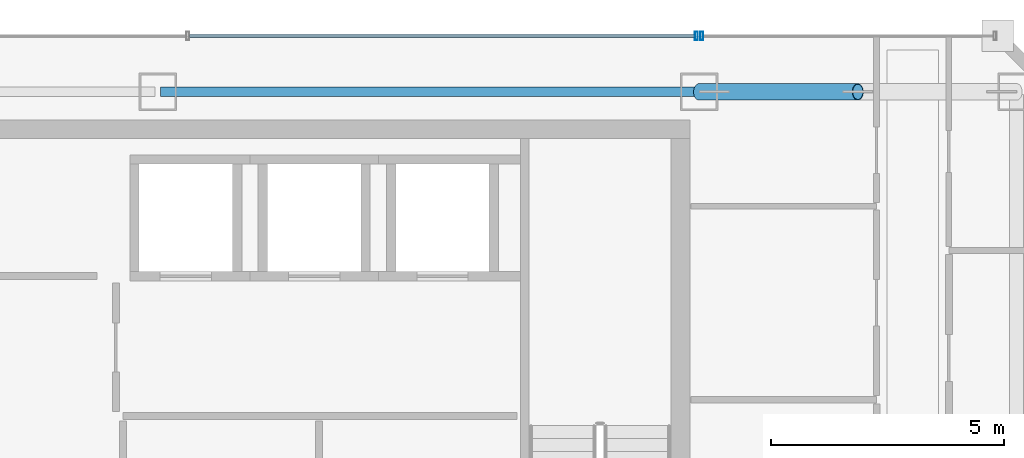
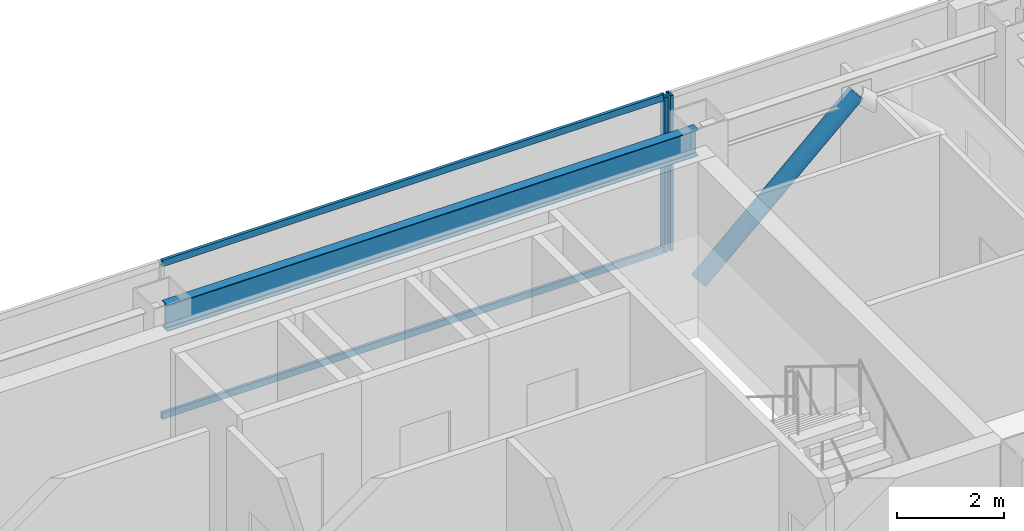
# One storey, part 16 of 28: 5 members, 1 beam, 2 elements without a shape of their own.
"""IFC4 building model written with IfcOpenShell, lengths in metres."""

from ifc_helpers import new_model, si_unit, direction, frame, origin, origin_2d, place, context, subcontext, project, spatial, hollow_rectangle, hollow_circle, i_section, extrude, material, material_profile, profile_set, type_object, element, aggregate, save


model = new_model("IFC4")

# Units and contexts
model_context = context("Model", 3, precision=1e-05, world=origin(), true_north=direction((0.0, 1.0)))
body_context = subcontext(model_context, "Body", "Model", "MODEL_VIEW")
ifc_project = project(units=[si_unit("LENGTHUNIT", "METRE"), si_unit("AREAUNIT", "SQUARE_METRE"), si_unit("VOLUMEUNIT", "CUBIC_METRE"), si_unit("PLANEANGLEUNIT", "RADIAN"), si_unit("MASSUNIT", "GRAM", prefix="KILO")], contexts=[model_context])

# Site, building, storey
site_placement = place(None, origin())
site = spatial("IfcSite", under=ifc_project, at=site_placement, CompositionType="ELEMENT")
building_placement = place(site_placement, origin())
building = spatial("IfcBuilding", under=site, at=building_placement, Name="Saevonmaru Cultural Tower", CompositionType="ELEMENT")
storey_placement = place(building_placement, frame((0.0, 0.0, 253.39990234375)))
storey = spatial("IfcBuildingStorey", under=building, at=storey_placement, Name="L59", CompositionType="ELEMENT", Elevation=253.39990234375)

# Beam
ifc_material_1 = material(Name="Steel SM355", Category="steel")
ifc_material_profile_1 = material_profile(ifc_material_1, i_section(OverallWidth=0.199951171875, OverallDepth=0.60009765625, WebThickness=0.010986328125, FlangeThickness=0.01708984375, FilletRadius=0.02197265625, at=origin_2d()), Name="H-600x200x11x17")
ifc_profile_set_1 = profile_set([ifc_material_profile_1], Name="Steel SM355")
beam_type = type_object("IfcBeamType", Name="BM-SP-H600", PredefinedType="SPANDREL", material=ifc_profile_set_1)
beam_placement = place(storey_placement, frame((34.860107421875, 54.800048828125, 3.25), z_axis=(1.0, 0.0, 0.0), x_axis=(0.0, 1.0, 0.0)))
element("IfcBeam", 1, at=beam_placement, inside=storey, type_object=beam_type, Name="L59 North Spine Girder 4", PredefinedType="SPANDREL", context=body_context, shape_type="SweptSolid", body=[
    extrude(i_section(OverallWidth=0.199951171875, OverallDepth=0.60009765625, WebThickness=0.010986328125, FlangeThickness=0.01708984375, FilletRadius=0.02197265625, at=origin_2d()), origin(), (0.0, 0.0, 1.0), 11.47998046875),
])

# Member
ifc_material_profile_2 = material_profile(ifc_material_1, hollow_circle(Radius=0.177734375, WallThickness=0.01611328125, at=origin_2d()), Name="CHS-355.6x16")
ifc_profile_set_2 = profile_set([ifc_material_profile_2], Name="Steel SM355")
member_type_1 = type_object("IfcMemberType", Name="MB-PBR-CHS356", PredefinedType="BRACE", material=ifc_profile_set_2)
member_1_placement = place(storey_placement, frame((46.39990234375, 54.800048828125, 0.02001953125), z_axis=(0.738959728749, 0.0, 0.673749596873), x_axis=(0.0, 1.0, 0.0)))
element("IfcMember", 2, at=member_1_placement, inside=storey, type_object=member_type_1, Name="L59 Perimeter Braced-Tube Diagonal EN1", PredefinedType="BRACE", context=body_context, shape_type="SweptSolid", body=[
    extrude(hollow_circle(Radius=0.177734375, WallThickness=0.01611328125, at=origin_2d()), origin(), (0.0, 0.0, 1.0), 4.601318359375),
])

# Curtain wall, member
ifc_material_2 = material(Name="Satin Bronze Anodised Aluminium", Category="aluminium")
curtain_wall_type = type_object("IfcCurtainWallType", Name="CW-TYP-B", PredefinedType="NOTDEFINED", material=ifc_material_2)
curtain_wall_1_placement = place(storey_placement, origin())
curtain_wall_1 = element("IfcCurtainWall", 3, at=curtain_wall_1_placement, inside=storey, type_object=curtain_wall_type, Name="L59 East Braced Bay Spandrel Curtain Wall E10A", PredefinedType="NOTDEFINED")
ifc_material_profile_3 = material_profile(ifc_material_2, hollow_rectangle(XDim=0.06494140625, YDim=0.179931640625, WallThickness=0.00390625, at=origin_2d()), Name="ALU-MULL-180x65x4")
ifc_profile_set_3 = profile_set([ifc_material_profile_3], Name="Satin Bronze Anodised Aluminium")
member_type_2 = type_object("IfcMemberType", Name="ML-CW-180x65", PredefinedType="MULLION", material=ifc_profile_set_3)
member_2_placement = place(storey_placement, frame((46.4599609375, 56.0, 0.0), z_axis=(0.0, 0.0, 1.0), x_axis=(-1.0, 0.0, 0.0)))
member_2 = element("IfcMember", 4, at=member_2_placement, type_object=member_type_2, Name="CW-TW-L59-E10A mullion 2", PredefinedType="MULLION", context=body_context, shape_type="SweptSolid", body=[
    extrude(hollow_rectangle(XDim=0.06494140625, YDim=0.179931640625, WallThickness=0.00390625, at=origin_2d()), origin(), (0.0, 0.0, 1.0), 3.550048828125),
])
aggregate(curtain_wall_1, [member_2])

# Curtain wall, members
curtain_wall_2_placement = place(storey_placement, origin())
curtain_wall_2 = element("IfcCurtainWall", 5, at=curtain_wall_2_placement, inside=storey, type_object=curtain_wall_type, Name="L59 North Spine Unitised Curtain Wall E10B", PredefinedType="NOTDEFINED")
member_3_placement = place(storey_placement, frame((46.340087890625, 56.0, 0.0), z_axis=(0.0, 0.0, 1.0), x_axis=(-1.0, 0.0, 0.0)))
member_3 = element("IfcMember", 6, at=member_3_placement, type_object=member_type_2, Name="CW-TW-L59-E10B mullion 1", PredefinedType="MULLION", context=body_context, shape_type="SweptSolid", body=[
    extrude(hollow_rectangle(XDim=0.06494140625, YDim=0.179931640625, WallThickness=0.00390625, at=origin_2d()), origin(), (0.0, 0.0, 1.0), 3.550048828125),
])
ifc_material_profile_4 = material_profile(ifc_material_2, hollow_rectangle(XDim=0.06494140625, YDim=0.14990234375, WallThickness=0.00390625, at=origin_2d()), Name="ALU-TRAN-150x65x4")
ifc_profile_set_4 = profile_set([ifc_material_profile_4], Name="Satin Bronze Anodised Aluminium")
member_type_3 = type_object("IfcMemberType", Name="TR-CW-150x65", PredefinedType="USERDEFINED", material=ifc_profile_set_4)
member_4_placement = place(storey_placement, frame((46.3076171875, 56.0, 0.03271484375), z_axis=(-1.0, 0.0, 0.0), x_axis=(0.0, -1.0, 0.0)))
member_4 = element("IfcMember", 7, at=member_4_placement, type_object=member_type_3, Name="CW-TW-L59-E10B transom 1.1", ObjectType="TRANSOM", PredefinedType="USERDEFINED", context=body_context, shape_type="SweptSolid", body=[
    extrude(hollow_rectangle(XDim=0.06494140625, YDim=0.14990234375, WallThickness=0.00390625, at=origin_2d()), origin(), (0.0, 0.0, 1.0), 10.828369140625),
])
member_5_placement = place(storey_placement, frame((46.3076171875, 56.0, 3.517578125), z_axis=(-1.0, 0.0, 0.0), x_axis=(0.0, -1.0, 0.0)))
member_5 = element("IfcMember", 8, at=member_5_placement, type_object=member_type_3, Name="CW-TW-L59-E10B transom 1.2", ObjectType="TRANSOM", PredefinedType="USERDEFINED", context=body_context, shape_type="SweptSolid", body=[
    extrude(hollow_rectangle(XDim=0.06494140625, YDim=0.14990234375, WallThickness=0.00390625, at=origin_2d()), origin(), (0.0, 0.0, 1.0), 10.828369140625),
])
aggregate(curtain_wall_2, [member_3, member_4, member_5])

save(model, "model.ifc")
